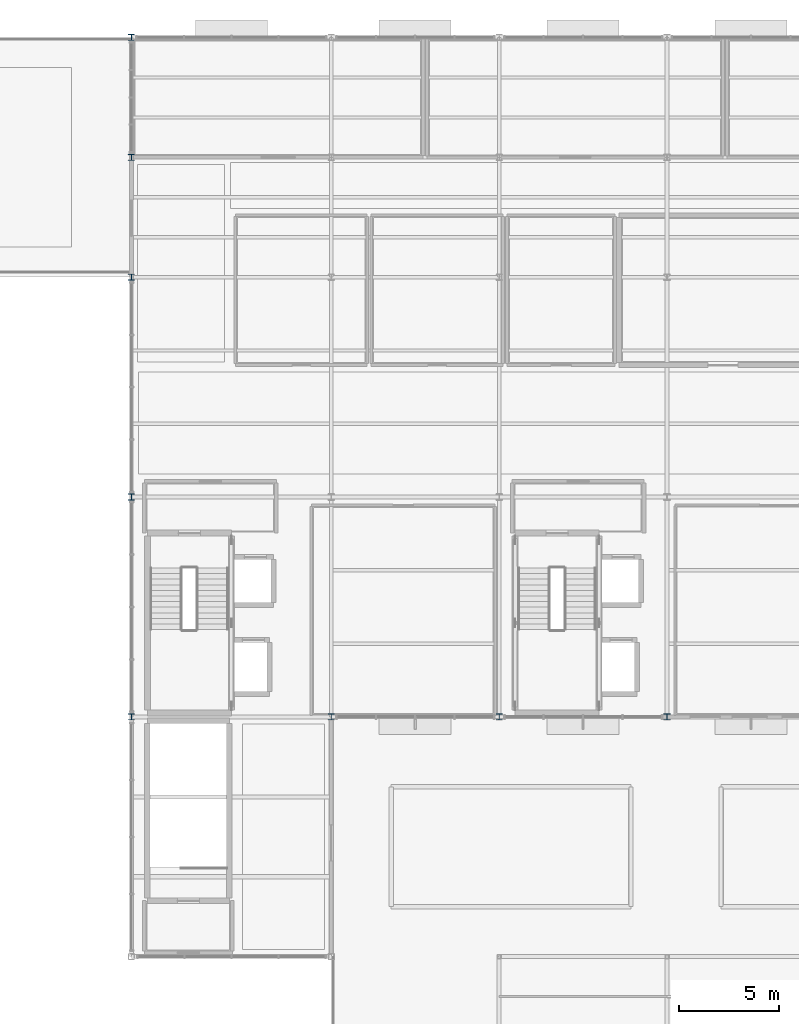
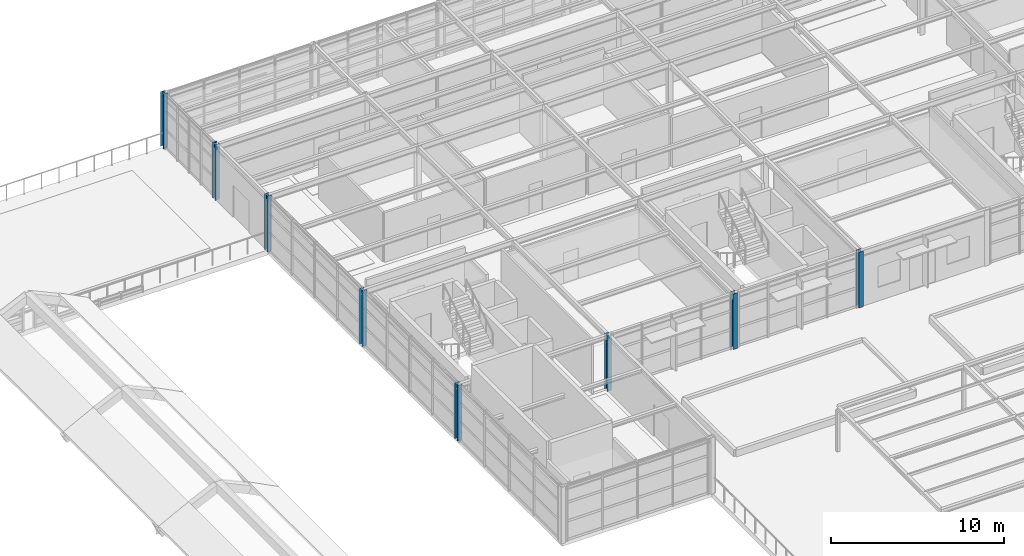
# One storey, part 9 of 49: 8 columns.
"""IFC4 building model written with IfcOpenShell, lengths in metres."""

from ifc_helpers import new_model, si_unit, direction, frame, origin, origin_2d, place, context, subcontext, project, spatial, i_section, extrude, material, material_profile, profile_set, type_object, element, save


model = new_model("IFC4")

# Units and contexts
model_context = context("Model", 3, precision=1e-05, world=origin(), true_north=direction((0.0, 1.0)))
body_context = subcontext(model_context, "Body", "Model", "MODEL_VIEW")
ifc_project = project(units=[si_unit("LENGTHUNIT", "METRE"), si_unit("AREAUNIT", "SQUARE_METRE"), si_unit("VOLUMEUNIT", "CUBIC_METRE"), si_unit("PLANEANGLEUNIT", "RADIAN"), si_unit("MASSUNIT", "GRAM", prefix="KILO")], contexts=[model_context])

# Site, building, storey
site_placement = place(None, origin())
site = spatial("IfcSite", under=ifc_project, at=site_placement, CompositionType="ELEMENT")
building_placement = place(site_placement, origin())
building = spatial("IfcBuilding", under=site, at=building_placement, Name="Sitalva Quay Ferry Terminal", CompositionType="ELEMENT")
storey_placement = place(building_placement, frame((0.0, 0.0, 10.199951171875)))
storey = spatial("IfcBuildingStorey", under=building, at=storey_placement, Name="L03", CompositionType="ELEMENT", Elevation=10.199951171875)

# Columns
ifc_material = material(Name="Structural Steel S355JR", Category="steel")
ifc_material_profile = material_profile(ifc_material, i_section(OverallWidth=0.305908203125, OverallDepth=0.31103515625, WebThickness=0.010986328125, FlangeThickness=0.01708984375, FilletRadius=0.014892578125, at=origin_2d()), Name="W310x107")
ifc_profile_set = profile_set([ifc_material_profile], Name="Structural Steel S355JR")
column_type = type_object("IfcColumnType", Name="Col_W310x107", PredefinedType="COLUMN", material=ifc_profile_set)
for number, where, z_axis, x_axis, name in (
    (1, (74.0, 78.0, 0.0), (0.0, 0.0, 1.0), (1.0, 0.0, 0.0), "L03 column 10J"),
    (2, (84.0, 78.0, 0.0), (0.0, 0.0, 1.0), (1.0, 0.0, 0.0), "L03 column 11J"),
    (3, (92.39990234375, 78.0, 0.0), (0.0, 0.0, 1.0), (1.0, 0.0, 0.0), "L03 column 12J"),
    (4, (100.800048828125, 78.0, 0.0), (0.0, 0.0, 1.0), (1.0, 0.0, 0.0), "L03 column 13J"),
    (5, (74.0, 89.0, 0.0), (0.0, 0.0, 1.0), (1.0, 0.0, 0.0), "L03 column 10K"),
    (6, (74.0, 100.0, 0.0), (0.0, 0.0, 1.0), (1.0, 0.0, 0.0), "L03 column 10L"),
    (7, (74.0, 106.0, 0.0), (0.0, 0.0, 1.0), (1.0, 0.0, 0.0), "L03 column 10M"),
):
    element("IfcColumn", number, at=place(storey_placement, frame(where, z_axis=z_axis, x_axis=x_axis)), inside=storey, type_object=column_type, Name=name, PredefinedType="COLUMN", context=body_context, shape_type="SweptSolid", body=[
        extrude(i_section(OverallWidth=0.305908203125, OverallDepth=0.31103515625, WebThickness=0.010986328125, FlangeThickness=0.01708984375, FilletRadius=0.014892578125, at=origin_2d()), origin(), (0.0, 0.0, 1.0), 3.920166015625),
    ])
column_placement = place(storey_placement, frame((74.0, 112.0, 0.0), z_axis=(0.0, 0.0, 1.0), x_axis=(1.0, 0.0, 0.0)))
element("IfcColumn", 8, at=column_placement, inside=storey, type_object=column_type, Name="L03 column 10N", PredefinedType="COLUMN", context=body_context, shape_type="SweptSolid", body=[
    extrude(i_section(OverallWidth=0.305908203125, OverallDepth=0.31103515625, WebThickness=0.010986328125, FlangeThickness=0.01708984375, FilletRadius=0.014892578125, at=origin_2d()), origin(), (0.0, 0.0, 1.0), 3.85009765625),
])

save(model, "model.ifc")
